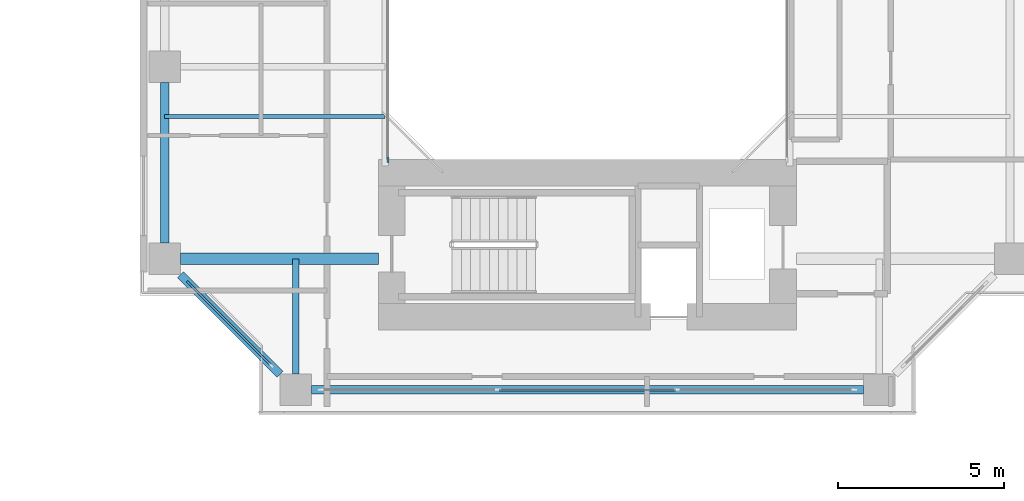
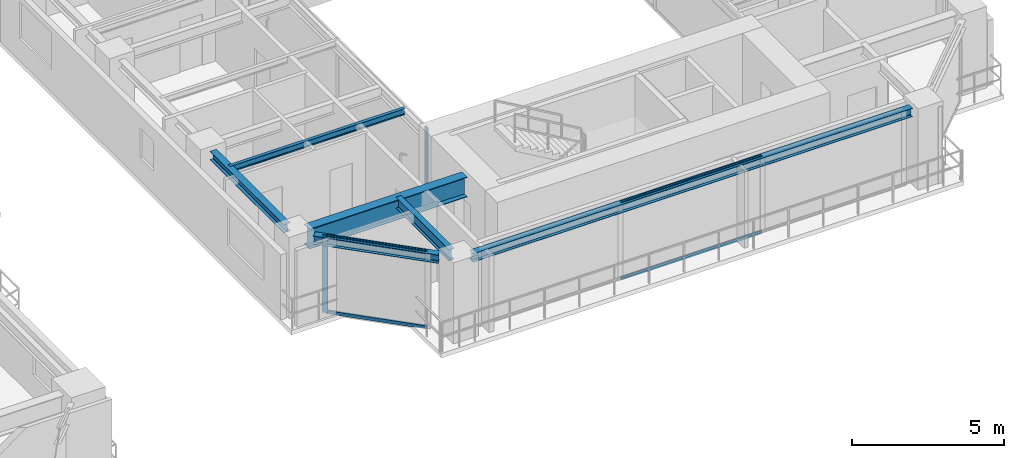
# One storey, part 6 of 23: 6 beams, 6 members, 3 elements without a shape of their own.
"""IFC4 building model written with IfcOpenShell, lengths in metres."""

from ifc_helpers import new_model, si_unit, direction, frame, origin, origin_2d, place, context, subcontext, project, spatial, rectangle, i_section, extrude, source, transform, mapped, material, layer, layer_set, material_profile, profile_set, type_object, element, aggregate, save


model = new_model("IFC4")

# Units and contexts
model_context = context("Model", 3, precision=1e-05, world=origin(), true_north=direction((0.0, 1.0)))
body_context = subcontext(model_context, "Body", "Model", "MODEL_VIEW")
ifc_project = project(units=[si_unit("LENGTHUNIT", "METRE"), si_unit("AREAUNIT", "SQUARE_METRE"), si_unit("VOLUMEUNIT", "CUBIC_METRE"), si_unit("PLANEANGLEUNIT", "RADIAN"), si_unit("MASSUNIT", "GRAM", prefix="KILO"), si_unit("THERMODYNAMICTEMPERATUREUNIT", "KELVIN"), si_unit("POWERUNIT", "WATT")], contexts=[model_context])

# Site, building, storey
site_placement = place(None, origin())
site = spatial("IfcSite", under=ifc_project, at=site_placement, CompositionType="ELEMENT")
building_placement = place(site_placement, origin())
building = spatial("IfcBuilding", under=site, at=building_placement, Name="Qiaomeng Ring Towers", CompositionType="ELEMENT")
storey_placement = place(building_placement, frame((0.0, 0.0, 26.25)))
storey = spatial("IfcBuildingStorey", under=building, at=storey_placement, Name="L06", CompositionType="ELEMENT", Elevation=26.25)

# Beams
ifc_material_1 = material(Name="Steel Q355B", Category="steel")
ifc_material_profile_1 = material_profile(ifc_material_1, i_section(OverallWidth=0.25, OverallDepth=0.340087890625, WebThickness=0.009033203125, FlangeThickness=0.013916015625, FilletRadius=0.02001953125, at=origin_2d()), Name="HM 340x250x9x14")
ifc_profile_set_1 = profile_set([ifc_material_profile_1], Name="Steel Q355B")
beam_type_1 = type_object("IfcBeamType", Name="STR-BM-HM340", PredefinedType="SPANDREL", material=ifc_profile_set_1)
shared_shape_1 = source(origin(), body_context, "Body", "SweptSolid", [
    extrude(i_section(OverallWidth=0.25, OverallDepth=0.340087890625, WebThickness=0.009033203125, FlangeThickness=0.013916015625, FilletRadius=0.02001953125, at=origin_2d()), origin(), (0.0, 0.0, 1.0), 16.65185546875),
])
beam_1_placement = place(storey_placement, frame((52.174072265625, 10.25, 2.89990234375), z_axis=(1.0, 0.0, 0.0), x_axis=(0.0, 1.0, 0.0)))
element("IfcBeam", 1, at=beam_1_placement, inside=storey, type_object=beam_type_1, Name="L06 beam STR-SP-L06-T2-S1-S2", PredefinedType="SPANDREL", context=body_context, shape_type="MappedRepresentation", body=[
    mapped(shared_shape_1, transform((0.0, 0.0, 0.0), x_axis=(1.0, 0.0, 0.0), y_axis=(0.0, 1.0, 0.0), z_axis=(0.0, 0.0, 1.0), scale=1.0)),
])
shared_shape_2 = source(origin(), body_context, "Body", "SweptSolid", [
    extrude(i_section(OverallWidth=0.25, OverallDepth=0.340087890625, WebThickness=0.009033203125, FlangeThickness=0.013916015625, FilletRadius=0.02001953125, at=origin_2d()), origin(), (0.0, 0.0, 1.0), 4.244384765625),
])
beam_2_placement = place(storey_placement, frame((48.224365234375, 13.7255859375, 2.89990234375), z_axis=(0.707106781187, -0.707106781187, 0.0), x_axis=(0.707106781187, 0.707106781187, 0.0)))
element("IfcBeam", 2, at=beam_2_placement, inside=storey, type_object=beam_type_1, Name="L06 beam STR-SP-L06-T2-W1-S1", PredefinedType="SPANDREL", context=body_context, shape_type="MappedRepresentation", body=[
    mapped(shared_shape_2, transform((0.0, 0.0, 0.0), x_axis=(1.0, 0.0, 0.0), y_axis=(0.0, 1.0, 0.0), z_axis=(0.0, 0.0, 1.0), scale=1.0)),
])
shared_shape_3 = source(origin(), body_context, "Body", "SweptSolid", [
    extrude(i_section(OverallWidth=0.25, OverallDepth=0.340087890625, WebThickness=0.009033203125, FlangeThickness=0.013916015625, FilletRadius=0.02001953125, at=origin_2d()), origin(), (0.0, 0.0, 1.0), 4.851806640625),
])
beam_3_placement = place(storey_placement, frame((47.75, 19.52587890625, 2.89990234375), z_axis=(0.0, -1.0, 0.0), x_axis=(1.0, 0.0, 0.0)))
element("IfcBeam", 3, at=beam_3_placement, inside=storey, type_object=beam_type_1, Name="L06 beam STR-SP-L06-T2-W2-W1", PredefinedType="SPANDREL", context=body_context, shape_type="MappedRepresentation", body=[
    mapped(shared_shape_3, transform((0.0, 0.0, 0.0), x_axis=(1.0, 0.0, 0.0), y_axis=(0.0, 1.0, 0.0), z_axis=(0.0, 0.0, 1.0), scale=1.0)),
])
ifc_material_2 = material(Name="Steel Q390GJC", Category="steel")
ifc_material_profile_2 = material_profile(ifc_material_2, i_section(OverallWidth=0.35009765625, OverallDepth=0.800048828125, WebThickness=0.01611328125, FlangeThickness=0.028076171875, at=origin_2d()), Name="WH 800x350x16x28")
ifc_profile_set_2 = profile_set([ifc_material_profile_2], Name="Steel Q390GJC")
beam_type_2 = type_object("IfcBeamType", Name="STR-BM-WH800", PredefinedType="BEAM", material=ifc_profile_set_2)
shared_shape_4 = source(origin(), body_context, "Body", "SweptSolid", [
    extrude(i_section(OverallWidth=0.35009765625, OverallDepth=0.800048828125, WebThickness=0.01611328125, FlangeThickness=0.028076171875, at=origin_2d()), origin(), (0.0, 0.0, 1.0), 5.975830078125),
])
beam_4_placement = place(storey_placement, frame((48.22412109375, 14.199951171875, 2.669921875), z_axis=(1.0, 0.0, 0.0), x_axis=(0.0, 1.0, 0.0)))
element("IfcBeam", 4, at=beam_4_placement, inside=storey, type_object=beam_type_2, Name="L06 beam STR-BM-L06-T2-RAD-W1", PredefinedType="BEAM", context=body_context, shape_type="MappedRepresentation", body=[
    mapped(shared_shape_4, transform((0.0, 0.0, 0.0), x_axis=(1.0, 0.0, 0.0), y_axis=(0.0, 1.0, 0.0), z_axis=(0.0, 0.0, 1.0), scale=1.0)),
])
ifc_material_profile_3 = material_profile(ifc_material_1, i_section(OverallWidth=0.199951171875, OverallDepth=0.449951171875, WebThickness=0.009033203125, FlangeThickness=0.013916015625, FilletRadius=0.01806640625, at=origin_2d()), Name="HN 450x200x9x14")
ifc_profile_set_3 = profile_set([ifc_material_profile_3], Name="Steel Q355B")
beam_type_3 = type_object("IfcBeamType", Name="STR-BM-HN450", PredefinedType="SPANDREL", material=ifc_profile_set_3)
shared_shape_5 = source(origin(), body_context, "Body", "SweptSolid", [
    extrude(i_section(OverallWidth=0.199951171875, OverallDepth=0.449951171875, WebThickness=0.009033203125, FlangeThickness=0.013916015625, FilletRadius=0.01806640625, at=origin_2d()), origin(), (0.0, 0.0, 1.0), 3.475830078125),
])
beam_5_placement = place(storey_placement, frame((51.699951171875, 10.72412109375, 2.844970703125), z_axis=(0.0, 1.0, 0.0), x_axis=(-1.0, 0.0, 0.0)))
element("IfcBeam", 5, at=beam_5_placement, inside=storey, type_object=beam_type_3, Name="L06 beam STR-BM-L06-T2-RAD-S1", PredefinedType="SPANDREL", context=body_context, shape_type="MappedRepresentation", body=[
    mapped(shared_shape_5, transform((0.0, 0.0, 0.0), x_axis=(1.0, 0.0, 0.0), y_axis=(0.0, 1.0, 0.0), z_axis=(0.0, 0.0, 1.0), scale=1.0)),
])
ifc_material_profile_4 = material_profile(ifc_material_1, i_section(OverallWidth=0.125, OverallDepth=0.25, WebThickness=0.006103515625, FlangeThickness=0.009033203125, FilletRadius=0.011962890625, at=origin_2d()), Name="HN 250x125x6x9")
ifc_profile_set_4 = profile_set([ifc_material_profile_4], Name="Steel Q355B")
beam_type_4 = type_object("IfcBeamType", Name="STR-BM-HN250", PredefinedType="JOIST", material=ifc_profile_set_4)
shared_shape_6 = source(origin(), body_context, "Body", "SweptSolid", [
    extrude(i_section(OverallWidth=0.125, OverallDepth=0.25, WebThickness=0.006103515625, FlangeThickness=0.009033203125, FilletRadius=0.011962890625, at=origin_2d()), origin(), (0.0, 0.0, 1.0), 6.64990234375),
])
beam_6_placement = place(storey_placement, frame((47.75, 18.5, 2.945068359375), z_axis=(1.0, 0.0, 0.0), x_axis=(0.0, 1.0, 0.0)))
element("IfcBeam", 6, at=beam_6_placement, inside=storey, type_object=beam_type_4, Name="L06 beam STR-JST-L06-T2W-1", PredefinedType="JOIST", context=body_context, shape_type="MappedRepresentation", body=[
    mapped(shared_shape_6, transform((0.0, 0.0, 0.0), x_axis=(1.0, 0.0, 0.0), y_axis=(0.0, 1.0, 0.0), z_axis=(0.0, 0.0, 1.0), scale=1.0)),
])

# Curtain wall, member
ifc_material_3 = material(Name="Fluorocarbon dark-grey aluminium", Category="aluminium")
ifc_layer_1 = layer(ifc_material_3, 0.139892578125, Name="Fluorocarbon dark-grey aluminium")
ifc_layer_set_1 = layer_set([ifc_layer_1], Name="Fluorocarbon dark-grey aluminium")
curtain_wall_type_1 = type_object("IfcCurtainWallType", Name="ARC-CW-4", PredefinedType="NOTDEFINED", material=ifc_layer_set_1)
curtain_wall_1_placement = place(storey_placement, origin())
curtain_wall_1 = element("IfcCurtainWall", 7, at=curtain_wall_1_placement, inside=storey, type_object=curtain_wall_type_1, Name="L06 Curtain Wall CW4", PredefinedType="NOTDEFINED")
ifc_material_profile_5 = material_profile(ifc_material_3, rectangle(XDim=0.06494140625, YDim=0.159912109375, at=origin_2d()), Name="ALU MULL 65x160")
ifc_profile_set_5 = profile_set([ifc_material_profile_5], Name="Fluorocarbon dark-grey aluminium")
member_type_1 = type_object("IfcMemberType", Name="ARC-CWM-140", PredefinedType="MULLION", material=ifc_profile_set_5)
shared_shape_7 = source(origin(), body_context, "Body", "SweptSolid", [
    extrude(rectangle(XDim=0.06494140625, YDim=0.159912109375, at=origin_2d()), origin(), (0.0, 0.0, 1.0), 3.070068359375),
])
member_1_placement = place(storey_placement, frame((54.47998046875, 17.1826171875, 0.0), z_axis=(0.0, 0.0, 1.0), x_axis=(-1.0, 0.0, 0.0)))
member_1 = element("IfcMember", 8, at=member_1_placement, type_object=member_type_1, Name="CW4 mullion 1", PredefinedType="MULLION", context=body_context, shape_type="MappedRepresentation", body=[
    mapped(shared_shape_7, transform((0.0, 0.0, 0.0), x_axis=(1.0, 0.0, 0.0), y_axis=(0.0, 1.0, 0.0), z_axis=(0.0, 0.0, 1.0), scale=1.0)),
])
aggregate(curtain_wall_1, [member_1])

ifc_layer_2 = layer(ifc_material_3, 0.14990234375, Name="Fluorocarbon dark-grey aluminium")
ifc_layer_set_2 = layer_set([ifc_layer_2], Name="Fluorocarbon dark-grey aluminium")
curtain_wall_type_2 = type_object("IfcCurtainWallType", Name="ARC-CW-5", PredefinedType="NOTDEFINED", material=ifc_layer_set_2)
curtain_wall_2_placement = place(storey_placement, origin())
curtain_wall_2 = element("IfcCurtainWall", 9, at=curtain_wall_2_placement, inside=storey, type_object=curtain_wall_type_2, Name="L06 Curtain Wall CW5", PredefinedType="NOTDEFINED")
ifc_material_profile_6 = material_profile(ifc_material_3, rectangle(XDim=0.070068359375, YDim=0.179931640625, at=origin_2d()), Name="ALU MULL 70x180")
ifc_profile_set_6 = profile_set([ifc_material_profile_6], Name="Fluorocarbon dark-grey aluminium")
member_type_2 = type_object("IfcMemberType", Name="ARC-CWM-160", PredefinedType="MULLION", material=ifc_profile_set_6)
shared_shape_8 = source(origin(), body_context, "Body", "SweptSolid", [
    extrude(rectangle(XDim=0.070068359375, YDim=0.179931640625, at=origin_2d()), origin(), (0.0, 0.0, 1.0), 3.070068359375),
])
member_2_placement = place(storey_placement, frame((48.48974609375, 13.460205078125, 0.0), z_axis=(0.0, 0.0, 1.0), x_axis=(0.707106781187, 0.707106781187, 0.0)))
member_2 = element("IfcMember", 10, at=member_2_placement, type_object=member_type_2, Name="CW5 mullion 1", PredefinedType="MULLION", context=body_context, shape_type="MappedRepresentation", body=[
    mapped(shared_shape_8, transform((0.0, 0.0, 0.0), x_axis=(1.0, 0.0, 0.0), y_axis=(0.0, 1.0, 0.0), z_axis=(0.0, 0.0, 1.0), scale=1.0)),
])

# Curtain wall, members
curtain_wall_3_placement = place(storey_placement, origin())
curtain_wall_3 = element("IfcCurtainWall", 11, at=curtain_wall_3_placement, inside=storey, type_object=curtain_wall_type_2, Name="L06 Curtain Wall CW5", PredefinedType="NOTDEFINED")
ifc_material_profile_7 = material_profile(ifc_material_3, rectangle(XDim=0.06494140625, YDim=0.1298828125, at=origin_2d()), Name="ALU TRAN 65x130")
ifc_profile_set_7 = profile_set([ifc_material_profile_7], Name="Fluorocarbon dark-grey aluminium")
member_type_3 = type_object("IfcMemberType", Name="ARC-CWT-120", PredefinedType="USERDEFINED", material=ifc_profile_set_7)
shared_shape_9 = source(origin(), body_context, "Body", "SweptSolid", [
    extrude(rectangle(XDim=0.06494140625, YDim=0.1298828125, at=origin_2d()), origin(), (0.0, 0.0, 1.0), 5.31982421875),
])
member_3_placement = place(storey_placement, frame((57.840087890625, 10.25, 0.032470703125), z_axis=(1.0, 0.0, 0.0), x_axis=(0.0, 1.0, 0.0)))
member_3 = element("IfcMember", 12, at=member_3_placement, type_object=member_type_3, Name="CW5 transom 2.1", ObjectType="TRANSOM", PredefinedType="USERDEFINED", context=body_context, shape_type="MappedRepresentation", body=[
    mapped(shared_shape_9, transform((0.0, 0.0, 0.0), x_axis=(1.0, 0.0, 0.0), y_axis=(0.0, 1.0, 0.0), z_axis=(0.0, 0.0, 1.0), scale=1.0)),
])
member_4_placement = place(storey_placement, frame((57.840087890625, 10.25, 3.03759765625), z_axis=(1.0, 0.0, 0.0), x_axis=(0.0, 1.0, 0.0)))
member_4 = element("IfcMember", 13, at=member_4_placement, type_object=member_type_3, Name="CW5 transom 2.2", ObjectType="TRANSOM", PredefinedType="USERDEFINED", context=body_context, shape_type="MappedRepresentation", body=[
    mapped(shared_shape_9, transform((0.0, 0.0, 0.0), x_axis=(1.0, 0.0, 0.0), y_axis=(0.0, 1.0, 0.0), z_axis=(0.0, 0.0, 1.0), scale=1.0)),
])
aggregate(curtain_wall_3, [member_3, member_4])

# Member
shared_shape_10 = source(origin(), body_context, "Body", "SweptSolid", [
    extrude(rectangle(XDim=0.06494140625, YDim=0.1298828125, at=origin_2d()), origin(), (0.0, 0.0, 1.0), 3.424072265625),
])
member_5_placement = place(storey_placement, frame((48.514404296875, 13.435546875, 0.032470703125), z_axis=(0.707106781187, -0.707106781187, 0.0), x_axis=(0.707106781187, 0.707106781187, 0.0)))
member_5 = element("IfcMember", 14, at=member_5_placement, type_object=member_type_3, Name="CW5 transom 1.1", ObjectType="TRANSOM", PredefinedType="USERDEFINED", context=body_context, shape_type="MappedRepresentation", body=[
    mapped(shared_shape_10, transform((0.0, 0.0, 0.0), x_axis=(1.0, 0.0, 0.0), y_axis=(0.0, 1.0, 0.0), z_axis=(0.0, 0.0, 1.0), scale=1.0)),
])

member_6_placement = place(storey_placement, frame((48.514404296875, 13.435546875, 3.03759765625), z_axis=(0.707106781187, -0.707106781187, 0.0), x_axis=(0.707106781187, 0.707106781187, 0.0)))
member_6 = element("IfcMember", 15, at=member_6_placement, type_object=member_type_3, Name="CW5 transom 1.2", ObjectType="TRANSOM", PredefinedType="USERDEFINED", context=body_context, shape_type="MappedRepresentation", body=[
    mapped(shared_shape_10, transform((0.0, 0.0, 0.0), x_axis=(1.0, 0.0, 0.0), y_axis=(0.0, 1.0, 0.0), z_axis=(0.0, 0.0, 1.0), scale=1.0)),
])

aggregate(curtain_wall_2, [member_2, member_5, member_6])

save(model, "model.ifc")
